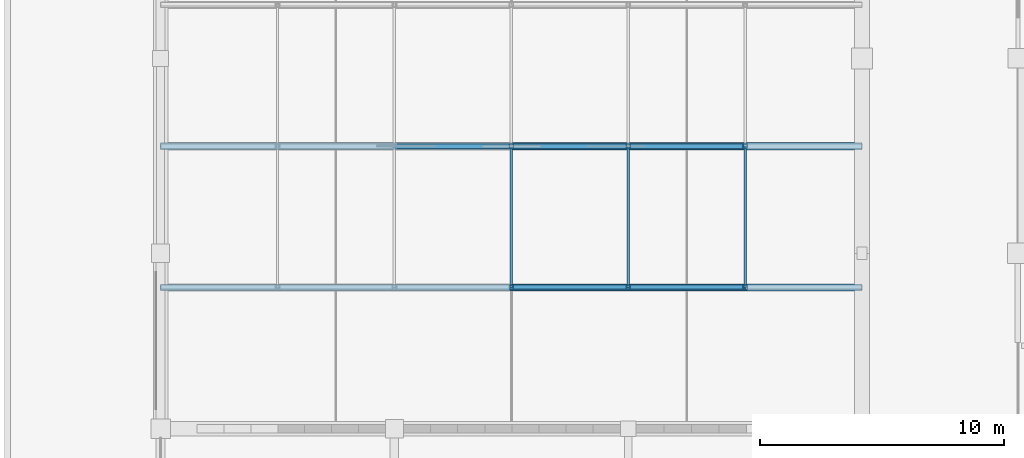
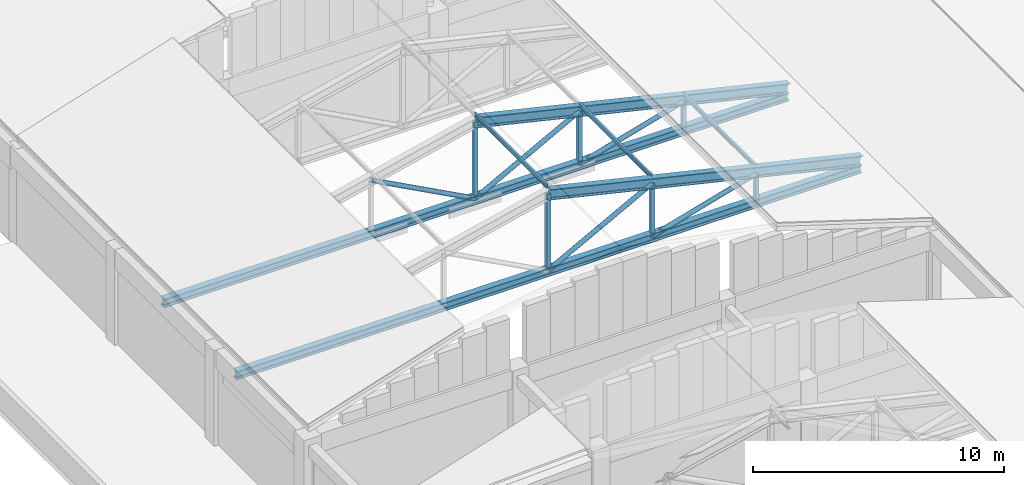
# One storey, part 17 of 61: 18 members.
"""IFC4 building model written with IfcOpenShell, lengths in metres."""

import ifcopenshell
import ifcopenshell.guid

model = None  # the IFC model being written
_history = None  # IfcOwnerHistory: only IFC2X3 demands one
_inside = {}  # id of a spatial element -> (the spatial element, [elements in it])
_under = {}  # id of a project, library or spatial element -> (it, [spatial elements below it])
_declared = {}  # id of a project -> (the project, [libraries it declares])
_typed = {}  # id of a type object -> (the type object, [elements of that type])
_made_of = {}  # id of a material, layer set ... -> (it, [elements and type objects made of it])


def new_model(schema):
    """Start an empty IFC model of exactly this schema.

    Asked for "IFC4X3", IfcOpenShell would pick the latest addendum, in which some entities
    have other attributes; the version numbers below select the first issue.
    IFC2X3 requires an IfcOwnerHistory on every rooted entity: one is made here for all.
    """
    global model, _history
    if schema == "IFC4X3":
        model = ifcopenshell.file(schema_version=(4, 3, 0, 0))
    else:
        model = ifcopenshell.file(schema=schema)
    _inside.clear()
    _under.clear()
    _declared.clear()
    _typed.clear()
    _made_of.clear()
    _history = None
    if model.schema == "IFC2X3":
        org = make("IfcOrganization", Name="unknown")
        user = make(
            "IfcPersonAndOrganization",
            ThePerson=make("IfcPerson", FamilyName="unknown"),
            TheOrganization=org,
        )
        app = make(
            "IfcApplication",
            ApplicationDeveloper=org,
            Version="unknown",
            ApplicationFullName="unknown",
            ApplicationIdentifier="unknown",
        )
        _history = make(
            "IfcOwnerHistory",
            OwningUser=user,
            OwningApplication=app,
            ChangeAction="ADDED",
            CreationDate=0,
        )
    return model


def make(cls, **values):
    """One entity of the class cls with the attributes given. An attribute that is None is left unset."""
    return model.create_entity(
        cls, **{name: value for name, value in values.items() if value is not None}
    )


def rooted(cls, **values):
    """An entity with a GlobalId (a new one), such as an element, a storey or a relation."""
    return make(cls, GlobalId=ifcopenshell.guid.new(), OwnerHistory=_history, **values)


def si_unit(unit_type, name, prefix=None):
    """IfcSIUnit, for example si_unit("LENGTHUNIT", "METRE", prefix="MILLI")."""
    return make("IfcSIUnit", UnitType=unit_type, Prefix=prefix, Name=name)


def assignment(units):
    """IfcUnitAssignment: the units of a project."""
    return None if units is None else make("IfcUnitAssignment", Units=units)


def point(xyz):
    """IfcCartesianPoint."""
    return None if xyz is None else make("IfcCartesianPoint", Coordinates=xyz)


def direction(xyz):
    """IfcDirection."""
    return None if xyz is None else make("IfcDirection", DirectionRatios=xyz)


def frame(location, z_axis=None, x_axis=None):
    """IfcAxis2Placement3D, a coordinate frame: its origin and axes. An axis left out is left unset."""
    return make(
        "IfcAxis2Placement3D",
        Location=point(location),
        Axis=direction(z_axis),
        RefDirection=direction(x_axis),
    )


def frame_2d(location, x_axis=None):
    """IfcAxis2Placement2D, a coordinate frame in the plane: its origin and x axis."""
    return make(
        "IfcAxis2Placement2D", Location=point(location), RefDirection=direction(x_axis)
    )


def origin():
    """The frame at (0, 0, 0) with its axes left unset."""
    return frame((0.0, 0.0, 0.0))


def origin_2d():
    """The frame at (0, 0) in the plane with its x axis left unset."""
    return frame_2d((0.0, 0.0))


def place(relative_to, where):
    """IfcLocalPlacement: puts the frame where relative to a parent placement (None: the world)."""
    return make(
        "IfcLocalPlacement", PlacementRelTo=relative_to, RelativePlacement=where
    )


def context(
    kind, dimensions, precision=None, world=None, true_north=None, identifier=None
):
    """IfcGeometricRepresentationContext, for example the 3D "Model" context."""
    return make(
        "IfcGeometricRepresentationContext",
        ContextIdentifier=identifier,
        ContextType=kind,
        CoordinateSpaceDimension=dimensions,
        Precision=precision,
        WorldCoordinateSystem=world,
        TrueNorth=true_north,
    )


def subcontext(parent, identifier, kind, view, scale=None):
    """IfcGeometricRepresentationSubContext, for example "Body" below "Model"."""
    return make(
        "IfcGeometricRepresentationSubContext",
        ContextIdentifier=identifier,
        ContextType=kind,
        ParentContext=parent,
        TargetScale=scale,
        TargetView=view,
    )


def project(units=None, contexts=None):
    """IfcProject with its units and contexts."""
    return rooted(
        "IfcProject",
        Name="project",
        RepresentationContexts=contexts,
        UnitsInContext=assignment(units),
    )


def spatial(cls, under=None, at=None, **own):
    """A site, building, storey or space (cls), placed at a placement, below another one or the project."""
    s = rooted(cls, ObjectPlacement=at, **own)
    if under is not None:
        _under.setdefault(under.id(), (under, []))[1].append(s)
    return s


def profile(cls, at=None, kind="AREA", **sizes):
    """A parametric profile (cls). Its sizes go by their IFC names, for example OverallWidth=200.0."""
    return make(cls, ProfileType=kind, Position=at, **sizes)


def hollow_rectangle(**sizes):
    """IfcRectangleHollowProfileDef."""
    return profile("IfcRectangleHollowProfileDef", **sizes)


def hollow_circle(**sizes):
    """IfcCircleHollowProfileDef."""
    return profile("IfcCircleHollowProfileDef", **sizes)


def i_section(**sizes):
    """IfcIShapeProfileDef."""
    return profile("IfcIShapeProfileDef", **sizes)


def extrude(swept, where, along, depth):
    """IfcExtrudedAreaSolid: the profile swept, set in the frame where, extruded along a direction by depth."""
    return make(
        "IfcExtrudedAreaSolid",
        SweptArea=swept,
        Position=where,
        ExtrudedDirection=direction(along),
        Depth=depth,
    )


def shape(context_of_items, identifier, shape_type, items):
    """IfcShapeRepresentation: the items that make up one representation, for example the "Body"."""
    return make(
        "IfcShapeRepresentation",
        ContextOfItems=context_of_items,
        RepresentationIdentifier=identifier,
        RepresentationType=shape_type,
        Items=items,
    )


def material(Name=None, Category=None):
    """IfcMaterial."""
    return make("IfcMaterial", Name=Name, Category=Category)


def material_profile(
    of_material, cross_section, Name=None, Category=None, Priority=None
):
    """IfcMaterialProfile: a cross section and its material."""
    return make(
        "IfcMaterialProfile",
        Name=Name,
        Material=of_material,
        Profile=cross_section,
        Priority=Priority,
        Category=Category,
    )


def profile_set(profiles, Name=None, composite=None):
    """IfcMaterialProfileSet."""
    return make(
        "IfcMaterialProfileSet",
        Name=Name,
        MaterialProfiles=profiles,
        CompositeProfile=composite,
    )


def made_of(thing, what):
    """Note that an element or type object is made of a material, layer set ...; save() writes the relation."""
    if what is not None:
        _made_of.setdefault(what.id(), (what, []))[1].append(thing)
    return thing


def type_object(cls, material=None, **own):
    """A type object (cls), such as IfcWallType, which elements share."""
    return made_of(rooted(cls, **own), material)


def element(
    cls,
    number,
    at=None,
    inside=None,
    cuts=None,
    type_object=None,
    material=None,
    context=None,
    identifier="Body",
    shape_type=None,
    held_by="IfcProductDefinitionShape",
    body=None,
    shapes=None,
    **own,
):
    """One element of the class cls, such as IfcWall. Its Tag is "e" and its number.

    at: its placement. inside: the storey or other place that contains it. cuts: it is an
    opening in that element (IfcRelVoidsElement). A single representation is given by context,
    identifier, shape_type and body (its items); several are given by shapes. held_by: the class
    of the entity that holds the representations. save() writes the other relations.
    """
    e = rooted(cls, Tag="e%d" % number, ObjectPlacement=at, **own)
    if body is not None:
        shapes = [shape(context, identifier, shape_type, body)]
    if shapes is not None:
        e.Representation = make(held_by, Representations=shapes)
    if inside is not None:
        _inside.setdefault(inside.id(), (inside, []))[1].append(e)
    if cuts is not None:
        rooted(
            "IfcRelVoidsElement", RelatingBuildingElement=cuts, RelatedOpeningElement=e
        )
    if type_object is not None:
        _typed.setdefault(type_object.id(), (type_object, []))[1].append(e)
    return made_of(e, material)


def aggregate(whole, parts):
    """IfcRelAggregates: a whole, such as a stair, and the parts it consists of."""
    return rooted("IfcRelAggregates", RelatingObject=whole, RelatedObjects=parts)


def save(model, path):
    """Write the relations noted so far, then the file.

    IfcRelAggregates (storeys below a building ...), IfcRelContainedInSpatialStructure (elements
    in a storey), IfcRelDefinesByType, IfcRelAssociatesMaterial and IfcRelDeclares: one each for
    every whole, place, type object, material and project.
    """
    for whole, parts in _under.values():
        aggregate(whole, parts)
    for where, things in _inside.values():
        rooted(
            "IfcRelContainedInSpatialStructure",
            RelatedElements=things,
            RelatingStructure=where,
        )
    for kind, things in _typed.values():
        rooted("IfcRelDefinesByType", RelatedObjects=things, RelatingType=kind)
    for what, things in _made_of.values():
        rooted("IfcRelAssociatesMaterial", RelatedObjects=things, RelatingMaterial=what)
    for by, libraries in _declared.values():
        rooted("IfcRelDeclares", RelatingContext=by, RelatedDefinitions=libraries)
    model.write(path)


model = new_model("IFC4")

# Units and contexts
model_context = context("Model", 3, precision=1e-05, world=origin(), true_north=direction((0.0, 1.0)))
body_context = subcontext(model_context, "Body", "Model", "MODEL_VIEW")
ifc_project = project(units=[si_unit("LENGTHUNIT", "METRE"), si_unit("AREAUNIT", "SQUARE_METRE"), si_unit("VOLUMEUNIT", "CUBIC_METRE"), si_unit("PLANEANGLEUNIT", "RADIAN"), si_unit("MASSUNIT", "GRAM", prefix="KILO")], contexts=[model_context])

# Site, building, storey
site_placement = place(None, origin())
site = spatial("IfcSite", under=ifc_project, at=site_placement, CompositionType="ELEMENT")
building_placement = place(site_placement, origin())
building = spatial("IfcBuilding", under=site, at=building_placement, Name="Vellmiral Cinema and Media Centre", CompositionType="ELEMENT")
storey_placement = place(building_placement, frame((0.0, 0.0, 10.800048828125)))
storey = spatial("IfcBuildingStorey", under=building, at=storey_placement, Name="L02", CompositionType="ELEMENT", Elevation=10.800048828125)

# Members
ifc_material_1 = material(Name="Steel S355", Category="steel")
ifc_material_profile_1 = material_profile(ifc_material_1, i_section(OverallWidth=0.10009765625, OverallDepth=0.199951171875, WebThickness=0.005615234375, FlangeThickness=0.008544921875, FilletRadius=0.011962890625, at=origin_2d()), Name="IPE 200")
ifc_profile_set_1 = profile_set([ifc_material_profile_1], Name="Steel S355")
member_type_1 = type_object("IfcMemberType", Name="PRL-IPE200", PredefinedType="PURLIN", material=ifc_profile_set_1)
for number, where, z_axis, x_axis, name in (
    (1, (20.800048828125, 77.800048828125, 8.25537109375), (0.0, 1.0, 0.0), (-1.0, 0.0, 0.0), "Roof Purlin 3.3.1"),
    (2, (25.60009765625, 77.800048828125, 7.058349609375), (0.0, 1.0, 0.0), (-1.0, 0.0, 0.0), "Roof Purlin 3.4.1"),
    (3, (30.39990234375, 77.800048828125, 5.86181640625), (0.0, 1.0, 0.0), (-1.0, 0.0, 0.0), "Roof Purlin 3.5.1"),
):
    element("IfcMember", number, at=place(storey_placement, frame(where, z_axis=z_axis, x_axis=x_axis)), inside=storey, type_object=member_type_1, Name=name, PredefinedType="PURLIN", context=body_context, shape_type="SweptSolid", body=[
        extrude(i_section(OverallWidth=0.10009765625, OverallDepth=0.199951171875, WebThickness=0.005615234375, FlangeThickness=0.008544921875, FilletRadius=0.011962890625, at=origin_2d()), origin(), (0.0, 0.0, 1.0), 5.800048828125),
    ])
ifc_material_2 = material(Name="Steel S355", Category="steel")
ifc_material_profile_2 = material_profile(ifc_material_2, hollow_circle(Radius=0.109619140625, WallThickness=0.010009765625, at=origin_2d()), Name="CHS 219.1x10.0")
ifc_profile_set_2 = profile_set([ifc_material_profile_2], Name="Steel S355")
member_type_2 = type_object("IfcMemberType", Name="TBR-CHS219", PredefinedType="BRACE", material=ifc_profile_set_2)
member_1_placement = place(storey_placement, frame((20.800048828125, 77.800048828125, 4.14990234375), z_axis=(0.88169787888, 0.0, 0.471814423666), x_axis=(0.0, 1.0, 0.0)))
element("IfcMember", 4, at=member_1_placement, inside=storey, type_object=member_type_2, Name="Roof Truss TR-03.1 Diagonal 4", PredefinedType="BRACE", context=body_context, shape_type="SweptSolid", body=[
    extrude(hollow_circle(Radius=0.109619140625, WallThickness=0.010009765625, at=origin_2d()), origin(), (0.0, 0.0, 1.0), 5.444091796875),
])
member_2_placement = place(storey_placement, frame((25.60009765625, 77.800048828125, 4.14990234375), z_axis=(0.961499952152, 0.0, 0.274805098227), x_axis=(0.0, 1.0, 0.0)))
element("IfcMember", 5, at=member_2_placement, inside=storey, type_object=member_type_2, Name="Roof Truss TR-03.1 Diagonal 5", PredefinedType="BRACE", context=body_context, shape_type="SweptSolid", body=[
    extrude(hollow_circle(Radius=0.109619140625, WallThickness=0.010009765625, at=origin_2d()), origin(), (0.0, 0.0, 1.0), 4.991943359375),
])
for number, where, z_axis, x_axis, name in (
    (6, (16.0, 83.60009765625, 6.718505859375), (0.88169787888, 0.0, -0.471814423666), (0.0, 1.0, 0.0), "Roof Truss TR-03.2 Diagonal 3"),
    (7, (20.800048828125, 83.60009765625, 4.14990234375), (0.88169787888, 0.0, 0.471814423666), (0.0, 1.0, 0.0), "Roof Truss TR-03.2 Diagonal 4"),
):
    element("IfcMember", number, at=place(storey_placement, frame(where, z_axis=z_axis, x_axis=x_axis)), inside=storey, type_object=member_type_2, Name=name, PredefinedType="BRACE", context=body_context, shape_type="SweptSolid", body=[
        extrude(hollow_circle(Radius=0.109619140625, WallThickness=0.010009765625, at=origin_2d()), origin(), (0.0, 0.0, 1.0), 5.444091796875),
    ])
member_3_placement = place(storey_placement, frame((25.60009765625, 83.60009765625, 4.14990234375), z_axis=(0.961499952152, 0.0, 0.274805098227), x_axis=(0.0, 1.0, 0.0)))
element("IfcMember", 8, at=member_3_placement, inside=storey, type_object=member_type_2, Name="Roof Truss TR-03.2 Diagonal 5", PredefinedType="BRACE", context=body_context, shape_type="SweptSolid", body=[
    extrude(hollow_circle(Radius=0.109619140625, WallThickness=0.010009765625, at=origin_2d()), origin(), (0.0, 0.0, 1.0), 4.991943359375),
])
ifc_material_3 = material(Name="Steel S355", Category="steel")
ifc_material_profile_3 = material_profile(ifc_material_3, hollow_rectangle(XDim=0.179931640625, YDim=0.179931640625, WallThickness=0.010009765625, at=origin_2d()), Name="SHS 180x180x10.0")
ifc_profile_set_3 = profile_set([ifc_material_profile_3], Name="Steel S355")
member_type_3 = type_object("IfcMemberType", Name="TBR-SHS180", PredefinedType="BRACE", material=ifc_profile_set_3)
member_4_placement = place(storey_placement, frame((20.800048828125, 77.800048828125, 4.14990234375), z_axis=(0.0, 0.0, 1.0), x_axis=(1.0, 0.0, 0.0)))
element("IfcMember", 9, at=member_4_placement, inside=storey, type_object=member_type_3, Name="Roof Truss TR-03.1 Post 3", PredefinedType="BRACE", context=body_context, shape_type="SweptSolid", body=[
    extrude(hollow_rectangle(XDim=0.179931640625, YDim=0.179931640625, WallThickness=0.010009765625, at=origin_2d()), origin(), (0.0, 0.0, 1.0), 3.765380859375),
])
member_5_placement = place(storey_placement, frame((25.60009765625, 77.800048828125, 4.14990234375), z_axis=(0.0, 0.0, 1.0), x_axis=(1.0, 0.0, 0.0)))
element("IfcMember", 10, at=member_5_placement, inside=storey, type_object=member_type_3, Name="Roof Truss TR-03.1 Post 4", PredefinedType="BRACE", context=body_context, shape_type="SweptSolid", body=[
    extrude(hollow_rectangle(XDim=0.179931640625, YDim=0.179931640625, WallThickness=0.010009765625, at=origin_2d()), origin(), (0.0, 0.0, 1.0), 2.568603515625),
])
member_6_placement = place(storey_placement, frame((30.39990234375, 77.800048828125, 4.14990234375), z_axis=(0.0, 0.0, 1.0), x_axis=(1.0, 0.0, 0.0)))
element("IfcMember", 11, at=member_6_placement, inside=storey, type_object=member_type_3, Name="Roof Truss TR-03.1 Post 5", PredefinedType="BRACE", context=body_context, shape_type="SweptSolid", body=[
    extrude(hollow_rectangle(XDim=0.179931640625, YDim=0.179931640625, WallThickness=0.010009765625, at=origin_2d()), origin(), (0.0, 0.0, 1.0), 1.371826171875),
])
member_7_placement = place(storey_placement, frame((20.800048828125, 83.60009765625, 4.14990234375), z_axis=(0.0, 0.0, 1.0), x_axis=(1.0, 0.0, 0.0)))
element("IfcMember", 12, at=member_7_placement, inside=storey, type_object=member_type_3, Name="Roof Truss TR-03.2 Post 3", PredefinedType="BRACE", context=body_context, shape_type="SweptSolid", body=[
    extrude(hollow_rectangle(XDim=0.179931640625, YDim=0.179931640625, WallThickness=0.010009765625, at=origin_2d()), origin(), (0.0, 0.0, 1.0), 3.765380859375),
])
member_8_placement = place(storey_placement, frame((25.60009765625, 83.60009765625, 4.14990234375), z_axis=(0.0, 0.0, 1.0), x_axis=(1.0, 0.0, 0.0)))
element("IfcMember", 13, at=member_8_placement, inside=storey, type_object=member_type_3, Name="Roof Truss TR-03.2 Post 4", PredefinedType="BRACE", context=body_context, shape_type="SweptSolid", body=[
    extrude(hollow_rectangle(XDim=0.179931640625, YDim=0.179931640625, WallThickness=0.010009765625, at=origin_2d()), origin(), (0.0, 0.0, 1.0), 2.568603515625),
])
member_9_placement = place(storey_placement, frame((30.39990234375, 83.60009765625, 4.14990234375), z_axis=(0.0, 0.0, 1.0), x_axis=(1.0, 0.0, 0.0)))
element("IfcMember", 14, at=member_9_placement, inside=storey, type_object=member_type_3, Name="Roof Truss TR-03.2 Post 5", PredefinedType="BRACE", context=body_context, shape_type="SweptSolid", body=[
    extrude(hollow_rectangle(XDim=0.179931640625, YDim=0.179931640625, WallThickness=0.010009765625, at=origin_2d()), origin(), (0.0, 0.0, 1.0), 1.371826171875),
])
ifc_material_4 = material(Name="Steel S355", Category="steel")
ifc_material_profile_4 = material_profile(ifc_material_4, i_section(OverallWidth=0.300048828125, OverallDepth=0.39990234375, WebThickness=0.013427734375, FlangeThickness=0.02392578125, FilletRadius=0.027099609375, at=origin_2d()), Name="HEB 400")
ifc_profile_set_4 = profile_set([ifc_material_profile_4], Name="Steel S355")
member_type_4 = type_object("IfcMemberType", Name="TCH-HEB400", PredefinedType="CHORD", material=ifc_profile_set_4)
for number, where, z_axis, x_axis, name in (
    (15, (6.39990234375, 77.800048828125, 4.14990234375), (1.0, 0.0, 0.0), (0.0, 1.0, 0.0), "Roof Truss TR-03.1 Bottom Chord"),
    (16, (6.39990234375, 83.60009765625, 4.14990234375), (1.0, 0.0, 0.0), (0.0, 1.0, 0.0), "Roof Truss TR-03.2 Bottom Chord"),
):
    element("IfcMember", number, at=place(storey_placement, frame(where, z_axis=z_axis, x_axis=x_axis)), inside=storey, type_object=member_type_4, Name=name, PredefinedType="CHORD", context=body_context, shape_type="SweptSolid", body=[
        extrude(i_section(OverallWidth=0.300048828125, OverallDepth=0.39990234375, WebThickness=0.013427734375, FlangeThickness=0.02392578125, FilletRadius=0.027099609375, at=origin_2d()), origin(), (0.0, 0.0, 1.0), 28.800048828125),
    ])
ifc_material_5 = material(Name="Steel S355", Category="steel")
ifc_material_profile_5 = material_profile(ifc_material_5, i_section(OverallWidth=0.300048828125, OverallDepth=0.5, WebThickness=0.014404296875, FlangeThickness=0.028076171875, FilletRadius=0.027099609375, at=origin_2d()), Name="HEB 500")
ifc_profile_set_5 = profile_set([ifc_material_profile_5], Name="Steel S355")
member_type_5 = type_object("IfcMemberType", Name="TCH-HEB500", PredefinedType="CHORD", material=ifc_profile_set_5)
for number, where, z_axis, x_axis, name in (
    (17, (20.800048828125, 77.800048828125, 7.915283203125), (0.973310802624, 0.0, -0.229490918112), (0.0, 1.0, 0.0), "Roof Truss TR-03.1 Top Chord E"),
    (18, (20.800048828125, 83.60009765625, 7.915283203125), (0.973310802624, 0.0, -0.229490918112), (0.0, 1.0, 0.0), "Roof Truss TR-03.2 Top Chord E"),
):
    element("IfcMember", number, at=place(storey_placement, frame(where, z_axis=z_axis, x_axis=x_axis)), inside=storey, type_object=member_type_5, Name=name, PredefinedType="CHORD", context=body_context, shape_type="SweptSolid", body=[
        extrude(i_section(OverallWidth=0.300048828125, OverallDepth=0.5, WebThickness=0.014404296875, FlangeThickness=0.028076171875, FilletRadius=0.027099609375, at=origin_2d()), origin(), (0.0, 0.0, 1.0), 14.794677734375),
    ])

save(model, "model.ifc")
